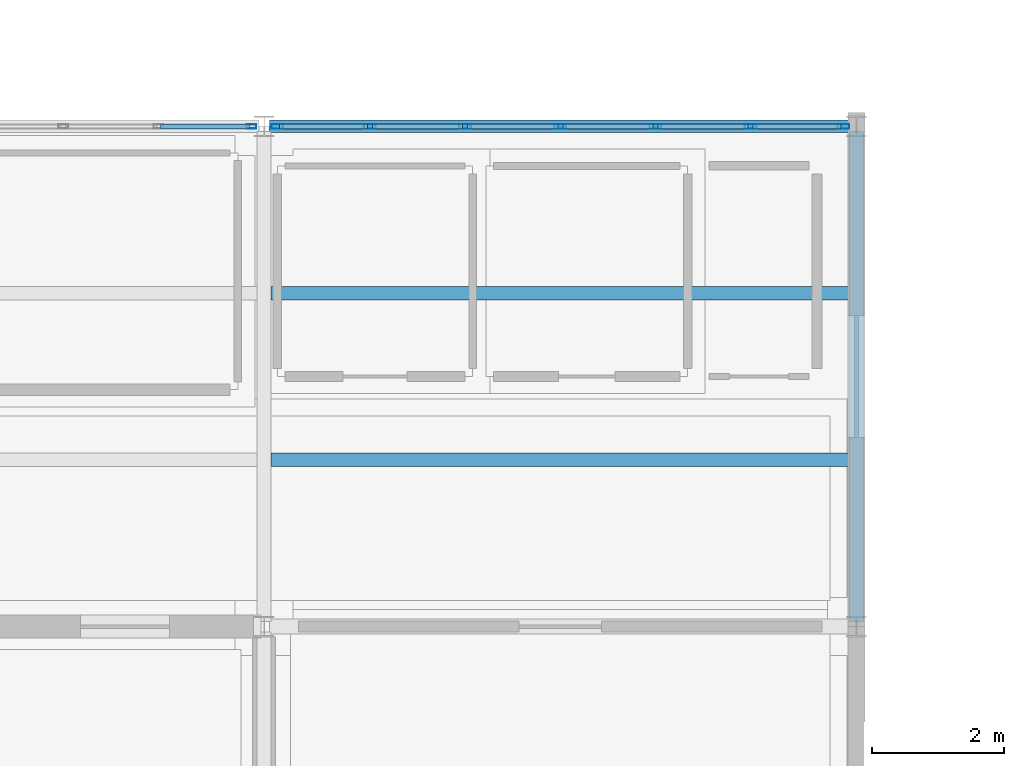
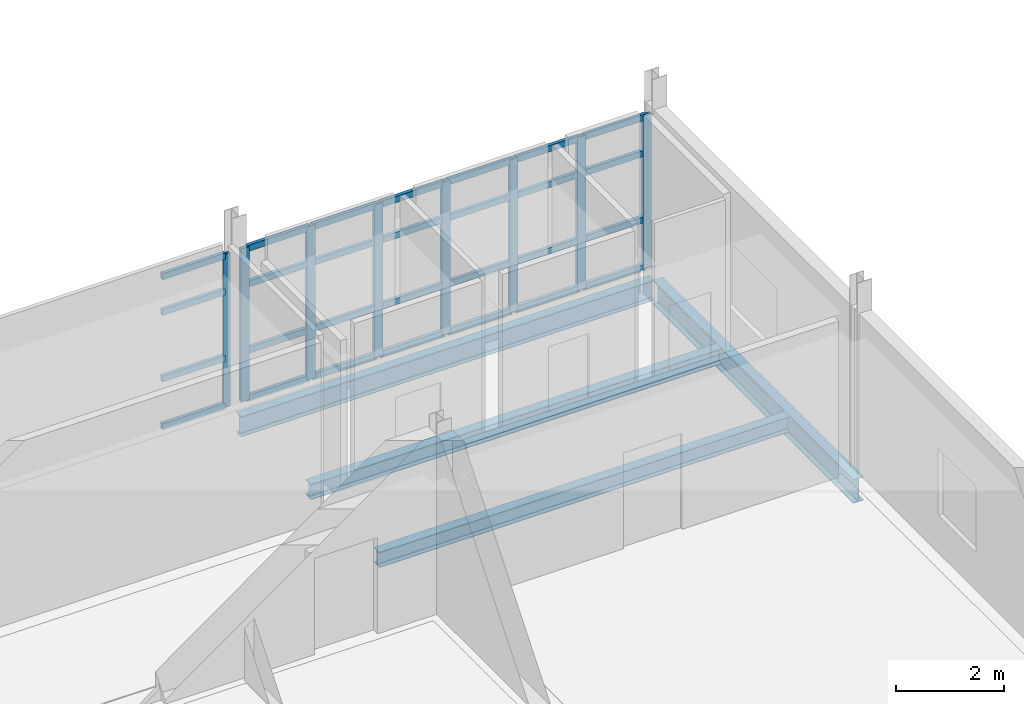
# One storey, part 12 of 48: 36 members, 4 beams, 2 elements without a shape of their own.
"""IFC4 building model written with IfcOpenShell, lengths in metres."""

import ifcopenshell
import ifcopenshell.guid

model = None  # the IFC model being written
_history = None  # IfcOwnerHistory: only IFC2X3 demands one
_inside = {}  # id of a spatial element -> (the spatial element, [elements in it])
_under = {}  # id of a project, library or spatial element -> (it, [spatial elements below it])
_declared = {}  # id of a project -> (the project, [libraries it declares])
_typed = {}  # id of a type object -> (the type object, [elements of that type])
_made_of = {}  # id of a material, layer set ... -> (it, [elements and type objects made of it])


def new_model(schema):
    """Start an empty IFC model of exactly this schema.

    Asked for "IFC4X3", IfcOpenShell would pick the latest addendum, in which some entities
    have other attributes; the version numbers below select the first issue.
    IFC2X3 requires an IfcOwnerHistory on every rooted entity: one is made here for all.
    """
    global model, _history
    if schema == "IFC4X3":
        model = ifcopenshell.file(schema_version=(4, 3, 0, 0))
    else:
        model = ifcopenshell.file(schema=schema)
    _inside.clear()
    _under.clear()
    _declared.clear()
    _typed.clear()
    _made_of.clear()
    _history = None
    if model.schema == "IFC2X3":
        org = make("IfcOrganization", Name="unknown")
        user = make(
            "IfcPersonAndOrganization",
            ThePerson=make("IfcPerson", FamilyName="unknown"),
            TheOrganization=org,
        )
        app = make(
            "IfcApplication",
            ApplicationDeveloper=org,
            Version="unknown",
            ApplicationFullName="unknown",
            ApplicationIdentifier="unknown",
        )
        _history = make(
            "IfcOwnerHistory",
            OwningUser=user,
            OwningApplication=app,
            ChangeAction="ADDED",
            CreationDate=0,
        )
    return model


def make(cls, **values):
    """One entity of the class cls with the attributes given. An attribute that is None is left unset."""
    return model.create_entity(
        cls, **{name: value for name, value in values.items() if value is not None}
    )


def rooted(cls, **values):
    """An entity with a GlobalId (a new one), such as an element, a storey or a relation."""
    return make(cls, GlobalId=ifcopenshell.guid.new(), OwnerHistory=_history, **values)


def si_unit(unit_type, name, prefix=None):
    """IfcSIUnit, for example si_unit("LENGTHUNIT", "METRE", prefix="MILLI")."""
    return make("IfcSIUnit", UnitType=unit_type, Prefix=prefix, Name=name)


def assignment(units):
    """IfcUnitAssignment: the units of a project."""
    return None if units is None else make("IfcUnitAssignment", Units=units)


def point(xyz):
    """IfcCartesianPoint."""
    return None if xyz is None else make("IfcCartesianPoint", Coordinates=xyz)


def direction(xyz):
    """IfcDirection."""
    return None if xyz is None else make("IfcDirection", DirectionRatios=xyz)


def frame(location, z_axis=None, x_axis=None):
    """IfcAxis2Placement3D, a coordinate frame: its origin and axes. An axis left out is left unset."""
    return make(
        "IfcAxis2Placement3D",
        Location=point(location),
        Axis=direction(z_axis),
        RefDirection=direction(x_axis),
    )


def frame_2d(location, x_axis=None):
    """IfcAxis2Placement2D, a coordinate frame in the plane: its origin and x axis."""
    return make(
        "IfcAxis2Placement2D", Location=point(location), RefDirection=direction(x_axis)
    )


def origin():
    """The frame at (0, 0, 0) with its axes left unset."""
    return frame((0.0, 0.0, 0.0))


def origin_2d():
    """The frame at (0, 0) in the plane with its x axis left unset."""
    return frame_2d((0.0, 0.0))


def place(relative_to, where):
    """IfcLocalPlacement: puts the frame where relative to a parent placement (None: the world)."""
    return make(
        "IfcLocalPlacement", PlacementRelTo=relative_to, RelativePlacement=where
    )


def context(
    kind, dimensions, precision=None, world=None, true_north=None, identifier=None
):
    """IfcGeometricRepresentationContext, for example the 3D "Model" context."""
    return make(
        "IfcGeometricRepresentationContext",
        ContextIdentifier=identifier,
        ContextType=kind,
        CoordinateSpaceDimension=dimensions,
        Precision=precision,
        WorldCoordinateSystem=world,
        TrueNorth=true_north,
    )


def subcontext(parent, identifier, kind, view, scale=None):
    """IfcGeometricRepresentationSubContext, for example "Body" below "Model"."""
    return make(
        "IfcGeometricRepresentationSubContext",
        ContextIdentifier=identifier,
        ContextType=kind,
        ParentContext=parent,
        TargetScale=scale,
        TargetView=view,
    )


def project(units=None, contexts=None):
    """IfcProject with its units and contexts."""
    return rooted(
        "IfcProject",
        Name="project",
        RepresentationContexts=contexts,
        UnitsInContext=assignment(units),
    )


def spatial(cls, under=None, at=None, **own):
    """A site, building, storey or space (cls), placed at a placement, below another one or the project."""
    s = rooted(cls, ObjectPlacement=at, **own)
    if under is not None:
        _under.setdefault(under.id(), (under, []))[1].append(s)
    return s


def profile(cls, at=None, kind="AREA", **sizes):
    """A parametric profile (cls). Its sizes go by their IFC names, for example OverallWidth=200.0."""
    return make(cls, ProfileType=kind, Position=at, **sizes)


def hollow_rectangle(**sizes):
    """IfcRectangleHollowProfileDef."""
    return profile("IfcRectangleHollowProfileDef", **sizes)


def i_section(**sizes):
    """IfcIShapeProfileDef."""
    return profile("IfcIShapeProfileDef", **sizes)


def extrude(swept, where, along, depth):
    """IfcExtrudedAreaSolid: the profile swept, set in the frame where, extruded along a direction by depth."""
    return make(
        "IfcExtrudedAreaSolid",
        SweptArea=swept,
        Position=where,
        ExtrudedDirection=direction(along),
        Depth=depth,
    )


def shape(context_of_items, identifier, shape_type, items):
    """IfcShapeRepresentation: the items that make up one representation, for example the "Body"."""
    return make(
        "IfcShapeRepresentation",
        ContextOfItems=context_of_items,
        RepresentationIdentifier=identifier,
        RepresentationType=shape_type,
        Items=items,
    )


def material(Name=None, Category=None):
    """IfcMaterial."""
    return make("IfcMaterial", Name=Name, Category=Category)


def material_profile(
    of_material, cross_section, Name=None, Category=None, Priority=None
):
    """IfcMaterialProfile: a cross section and its material."""
    return make(
        "IfcMaterialProfile",
        Name=Name,
        Material=of_material,
        Profile=cross_section,
        Priority=Priority,
        Category=Category,
    )


def profile_set(profiles, Name=None, composite=None):
    """IfcMaterialProfileSet."""
    return make(
        "IfcMaterialProfileSet",
        Name=Name,
        MaterialProfiles=profiles,
        CompositeProfile=composite,
    )


def made_of(thing, what):
    """Note that an element or type object is made of a material, layer set ...; save() writes the relation."""
    if what is not None:
        _made_of.setdefault(what.id(), (what, []))[1].append(thing)
    return thing


def type_object(cls, material=None, **own):
    """A type object (cls), such as IfcWallType, which elements share."""
    return made_of(rooted(cls, **own), material)


def element(
    cls,
    number,
    at=None,
    inside=None,
    cuts=None,
    type_object=None,
    material=None,
    context=None,
    identifier="Body",
    shape_type=None,
    held_by="IfcProductDefinitionShape",
    body=None,
    shapes=None,
    **own,
):
    """One element of the class cls, such as IfcWall. Its Tag is "e" and its number.

    at: its placement. inside: the storey or other place that contains it. cuts: it is an
    opening in that element (IfcRelVoidsElement). A single representation is given by context,
    identifier, shape_type and body (its items); several are given by shapes. held_by: the class
    of the entity that holds the representations. save() writes the other relations.
    """
    e = rooted(cls, Tag="e%d" % number, ObjectPlacement=at, **own)
    if body is not None:
        shapes = [shape(context, identifier, shape_type, body)]
    if shapes is not None:
        e.Representation = make(held_by, Representations=shapes)
    if inside is not None:
        _inside.setdefault(inside.id(), (inside, []))[1].append(e)
    if cuts is not None:
        rooted(
            "IfcRelVoidsElement", RelatingBuildingElement=cuts, RelatedOpeningElement=e
        )
    if type_object is not None:
        _typed.setdefault(type_object.id(), (type_object, []))[1].append(e)
    return made_of(e, material)


def aggregate(whole, parts):
    """IfcRelAggregates: a whole, such as a stair, and the parts it consists of."""
    return rooted("IfcRelAggregates", RelatingObject=whole, RelatedObjects=parts)


def save(model, path):
    """Write the relations noted so far, then the file.

    IfcRelAggregates (storeys below a building ...), IfcRelContainedInSpatialStructure (elements
    in a storey), IfcRelDefinesByType, IfcRelAssociatesMaterial and IfcRelDeclares: one each for
    every whole, place, type object, material and project.
    """
    for whole, parts in _under.values():
        aggregate(whole, parts)
    for where, things in _inside.values():
        rooted(
            "IfcRelContainedInSpatialStructure",
            RelatedElements=things,
            RelatingStructure=where,
        )
    for kind, things in _typed.values():
        rooted("IfcRelDefinesByType", RelatedObjects=things, RelatingType=kind)
    for what, things in _made_of.values():
        rooted("IfcRelAssociatesMaterial", RelatedObjects=things, RelatingMaterial=what)
    for by, libraries in _declared.values():
        rooted("IfcRelDeclares", RelatingContext=by, RelatedDefinitions=libraries)
    model.write(path)


model = new_model("IFC4")

# Units and contexts
model_context = context("Model", 3, precision=1e-05, world=origin(), true_north=direction((0.0, 1.0)))
body_context = subcontext(model_context, "Body", "Model", "MODEL_VIEW")
ifc_project = project(units=[si_unit("LENGTHUNIT", "METRE"), si_unit("AREAUNIT", "SQUARE_METRE"), si_unit("VOLUMEUNIT", "CUBIC_METRE"), si_unit("PLANEANGLEUNIT", "RADIAN"), si_unit("MASSUNIT", "GRAM", prefix="KILO")], contexts=[model_context])

# Site, building, storey
site_placement = place(None, origin())
site = spatial("IfcSite", under=ifc_project, at=site_placement, CompositionType="ELEMENT")
building_placement = place(site_placement, origin())
building = spatial("IfcBuilding", under=site, at=building_placement, Name="Caisbarro Railhouse Central Library", CompositionType="ELEMENT")
storey_placement = place(building_placement, frame((0.0, 0.0, 18.0)))
storey = spatial("IfcBuildingStorey", under=building, at=storey_placement, Name="L04", CompositionType="ELEMENT", Elevation=18.0)

# Beams
ifc_material_1 = material(Name="Steel ASTM A572 Grade 50", Category="steel")
ifc_material_profile_1 = material_profile(ifc_material_1, i_section(OverallWidth=0.2119140625, OverallDepth=0.5439453125, WebThickness=0.01318359375, FlangeThickness=0.021240234375, FilletRadius=0.02001953125, at=origin_2d()), Name="W530X123.0")
ifc_profile_set_1 = profile_set([ifc_material_profile_1], Name="Steel ASTM A572 Grade 50")
beam_type_1 = type_object("IfcBeamType", Name="BM-G05", PredefinedType="BEAM", material=ifc_profile_set_1)
beam_1_placement = place(storey_placement, frame((108.0, 15.280029296875, -0.552001953125), z_axis=(0.0, 1.0, 0.0), x_axis=(-1.0, 0.0, 0.0)))
element("IfcBeam", 1, at=beam_1_placement, inside=storey, type_object=beam_type_1, Name="G05 beam L04 #2052", PredefinedType="BEAM", context=body_context, shape_type="SweptSolid", body=[
    extrude(i_section(OverallWidth=0.2119140625, OverallDepth=0.5439453125, WebThickness=0.01318359375, FlangeThickness=0.021240234375, FilletRadius=0.02001953125, at=origin_2d()), origin(), (0.0, 0.0, 1.0), 7.43994140625),
])
ifc_material_profile_2 = material_profile(ifc_material_1, i_section(OverallWidth=0.202880859375, OverallDepth=0.346923828125, WebThickness=0.0078125, FlangeThickness=0.013427734375, FilletRadius=0.014892578125, at=origin_2d()), Name="W360X64.0")
ifc_profile_set_2 = profile_set([ifc_material_profile_2], Name="Steel ASTM A572 Grade 50")
beam_type_2 = type_object("IfcBeamType", Name="BM-J01", PredefinedType="JOIST", material=ifc_profile_set_2)
for number, where, z_axis, x_axis, name in (
    (2, (99.10595703125, 17.7333984375, -0.45361328125), (1.0, 0.0, 0.0), (0.0, 1.0, 0.0), "J01 beam L04 #2073"),
    (3, (99.10595703125, 20.2666015625, -0.45361328125), (1.0, 0.0, 0.0), (0.0, 1.0, 0.0), "J01 beam L04 #2074"),
):
    element("IfcBeam", number, at=place(storey_placement, frame(where, z_axis=z_axis, x_axis=x_axis)), inside=storey, type_object=beam_type_2, Name=name, PredefinedType="JOIST", context=body_context, shape_type="SweptSolid", body=[
        extrude(i_section(OverallWidth=0.202880859375, OverallDepth=0.346923828125, WebThickness=0.0078125, FlangeThickness=0.013427734375, FilletRadius=0.014892578125, at=origin_2d()), origin(), (0.0, 0.0, 1.0), 8.7880859375),
    ])
ifc_material_profile_3 = material_profile(ifc_material_1, i_section(OverallWidth=0.18994140625, OverallDepth=0.45703125, WebThickness=0.009033203125, FlangeThickness=0.014404296875, FilletRadius=0.01806640625, at=origin_2d()), Name="W460X74.0")
ifc_profile_set_3 = profile_set([ifc_material_profile_3], Name="Steel ASTM A572 Grade 50")
beam_type_3 = type_object("IfcBeamType", Name="BM-SP01", PredefinedType="SPANDREL", material=ifc_profile_set_3)
beam_2_placement = place(storey_placement, frame((99.080078125, 22.800048828125, -0.508544921875), z_axis=(1.0, 0.0, 0.0), x_axis=(0.0, 1.0, 0.0)))
element("IfcBeam", 4, at=beam_2_placement, inside=storey, type_object=beam_type_3, Name="SP01 beam L04 #2034", PredefinedType="SPANDREL", context=body_context, shape_type="SweptSolid", body=[
    extrude(i_section(OverallWidth=0.18994140625, OverallDepth=0.45703125, WebThickness=0.009033203125, FlangeThickness=0.014404296875, FilletRadius=0.01806640625, at=origin_2d()), origin(), (0.0, 0.0, 1.0), 8.83984375),
])

# Curtain wall, members
ifc_material_2 = material(Name="Anodised architectural aluminium", Category="aluminium")
curtain_wall_type = type_object("IfcCurtainWallType", Name="CW-CW02", PredefinedType="NOTDEFINED", material=ifc_material_2)
curtain_wall_1_placement = place(storey_placement, origin())
curtain_wall_1 = element("IfcCurtainWall", 5, at=curtain_wall_1_placement, inside=storey, type_object=curtain_wall_type, Name="CW02 curtain wall L04 #70", PredefinedType="NOTDEFINED")
ifc_material_profile_4 = material_profile(ifc_material_2, hollow_rectangle(XDim=0.074951171875, YDim=0.179931640625, WallThickness=0.00439453125, at=origin_2d()), Name="ALU-MUL-75X180")
ifc_profile_set_4 = profile_set([ifc_material_profile_4], Name="Anodised architectural aluminium")
member_type_1 = type_object("IfcMemberType", Name="CWM-M01", PredefinedType="MULLION", material=ifc_profile_set_4)
member_1_placement = place(storey_placement, frame((99.197509765625, 22.800048828125, 0.0), z_axis=(0.0, 0.0, 1.0), x_axis=(0.0, 1.0, 0.0)))
member_1 = element("IfcMember", 6, at=member_1_placement, type_object=member_type_1, Name="CW02 mullion 1", PredefinedType="MULLION", context=body_context, shape_type="SweptSolid", body=[
    extrude(hollow_rectangle(XDim=0.074951171875, YDim=0.179931640625, WallThickness=0.00439453125, at=origin_2d()), origin(), (0.0, 0.0, 1.0), 3.469970703125),
])
member_2_placement = place(storey_placement, frame((100.606689453125, 22.800048828125, 0.0), z_axis=(0.0, 0.0, 1.0), x_axis=(0.0, 1.0, 0.0)))
member_2 = element("IfcMember", 7, at=member_2_placement, type_object=member_type_1, Name="CW02 mullion 2", PredefinedType="MULLION", context=body_context, shape_type="SweptSolid", body=[
    extrude(hollow_rectangle(XDim=0.074951171875, YDim=0.179931640625, WallThickness=0.00439453125, at=origin_2d()), origin(), (0.0, 0.0, 1.0), 3.469970703125),
])
member_3_placement = place(storey_placement, frame((102.05322265625, 22.800048828125, 0.0), z_axis=(0.0, 0.0, 1.0), x_axis=(0.0, 1.0, 0.0)))
member_3 = element("IfcMember", 8, at=member_3_placement, type_object=member_type_1, Name="CW02 mullion 3", PredefinedType="MULLION", context=body_context, shape_type="SweptSolid", body=[
    extrude(hollow_rectangle(XDim=0.074951171875, YDim=0.179931640625, WallThickness=0.00439453125, at=origin_2d()), origin(), (0.0, 0.0, 1.0), 3.469970703125),
])
member_4_placement = place(storey_placement, frame((103.5, 22.800048828125, 0.0), z_axis=(0.0, 0.0, 1.0), x_axis=(0.0, 1.0, 0.0)))
member_4 = element("IfcMember", 9, at=member_4_placement, type_object=member_type_1, Name="CW02 mullion 4", PredefinedType="MULLION", context=body_context, shape_type="SweptSolid", body=[
    extrude(hollow_rectangle(XDim=0.074951171875, YDim=0.179931640625, WallThickness=0.00439453125, at=origin_2d()), origin(), (0.0, 0.0, 1.0), 3.469970703125),
])
member_5_placement = place(storey_placement, frame((104.94677734375, 22.800048828125, 0.0), z_axis=(0.0, 0.0, 1.0), x_axis=(0.0, 1.0, 0.0)))
member_5 = element("IfcMember", 10, at=member_5_placement, type_object=member_type_1, Name="CW02 mullion 5", PredefinedType="MULLION", context=body_context, shape_type="SweptSolid", body=[
    extrude(hollow_rectangle(XDim=0.074951171875, YDim=0.179931640625, WallThickness=0.00439453125, at=origin_2d()), origin(), (0.0, 0.0, 1.0), 3.469970703125),
])
member_6_placement = place(storey_placement, frame((106.393310546875, 22.800048828125, 0.0), z_axis=(0.0, 0.0, 1.0), x_axis=(0.0, 1.0, 0.0)))
member_6 = element("IfcMember", 11, at=member_6_placement, type_object=member_type_1, Name="CW02 mullion 6", PredefinedType="MULLION", context=body_context, shape_type="SweptSolid", body=[
    extrude(hollow_rectangle(XDim=0.074951171875, YDim=0.179931640625, WallThickness=0.00439453125, at=origin_2d()), origin(), (0.0, 0.0, 1.0), 3.469970703125),
])
member_7_placement = place(storey_placement, frame((107.802490234375, 22.800048828125, 0.0), z_axis=(0.0, 0.0, 1.0), x_axis=(0.0, 1.0, 0.0)))
member_7 = element("IfcMember", 12, at=member_7_placement, type_object=member_type_1, Name="CW02 mullion 7", PredefinedType="MULLION", context=body_context, shape_type="SweptSolid", body=[
    extrude(hollow_rectangle(XDim=0.074951171875, YDim=0.179931640625, WallThickness=0.00439453125, at=origin_2d()), origin(), (0.0, 0.0, 1.0), 3.469970703125),
])

curtain_wall_2_placement = place(storey_placement, origin())
curtain_wall_2 = element("IfcCurtainWall", 13, at=curtain_wall_2_placement, inside=storey, type_object=curtain_wall_type, Name="CW02 curtain wall L04 #69", PredefinedType="NOTDEFINED")
ifc_material_profile_5 = material_profile(ifc_material_2, hollow_rectangle(XDim=0.06494140625, YDim=0.14990234375, WallThickness=0.00390625, at=origin_2d()), Name="ALU-MUL-65X150")
ifc_profile_set_5 = profile_set([ifc_material_profile_5], Name="Anodised architectural aluminium")
member_type_2 = type_object("IfcMemberType", Name="CWM-M02", PredefinedType="MULLION", material=ifc_profile_set_5)
member_8_placement = place(storey_placement, frame((98.8076171875, 22.800048828125, 0.0), z_axis=(0.0, 0.0, 1.0), x_axis=(0.0, 1.0, 0.0)))
member_8 = element("IfcMember", 14, at=member_8_placement, type_object=member_type_2, Name="CW02 mullion 7", PredefinedType="MULLION", context=body_context, shape_type="SweptSolid", body=[
    extrude(hollow_rectangle(XDim=0.06494140625, YDim=0.14990234375, WallThickness=0.00390625, at=origin_2d()), origin(), (0.0, 0.0, 1.0), 3.469970703125),
])
ifc_material_profile_6 = material_profile(ifc_material_2, hollow_rectangle(XDim=0.074951171875, YDim=0.139892578125, WallThickness=0.00390625, at=origin_2d()), Name="ALU-TRN-75X140")
ifc_profile_set_6 = profile_set([ifc_material_profile_6], Name="Anodised architectural aluminium")
member_type_3 = type_object("IfcMemberType", Name="CWT-T01", PredefinedType="USERDEFINED", material=ifc_profile_set_6)
member_9_placement = place(storey_placement, frame((97.42578125, 22.800048828125, 0.03759765625), z_axis=(1.0, 0.0, 0.0), x_axis=(0.0, 1.0, 0.0)))
member_9 = element("IfcMember", 15, at=member_9_placement, type_object=member_type_3, Name="CW02 transom 6.1", ObjectType="TRANSOM", PredefinedType="USERDEFINED", context=body_context, shape_type="SweptSolid", body=[
    extrude(hollow_rectangle(XDim=0.074951171875, YDim=0.139892578125, WallThickness=0.00390625, at=origin_2d()), origin(), (0.0, 0.0, 1.0), 1.34912109375),
])
member_10_placement = place(storey_placement, frame((97.42578125, 22.800048828125, 1.1201171875), z_axis=(1.0, 0.0, 0.0), x_axis=(0.0, 1.0, 0.0)))
member_10 = element("IfcMember", 16, at=member_10_placement, type_object=member_type_3, Name="CW02 transom 6.2", ObjectType="TRANSOM", PredefinedType="USERDEFINED", context=body_context, shape_type="SweptSolid", body=[
    extrude(hollow_rectangle(XDim=0.074951171875, YDim=0.139892578125, WallThickness=0.00390625, at=origin_2d()), origin(), (0.0, 0.0, 1.0), 1.34912109375),
])
member_11_placement = place(storey_placement, frame((97.42578125, 22.800048828125, 2.6201171875), z_axis=(1.0, 0.0, 0.0), x_axis=(0.0, 1.0, 0.0)))
member_11 = element("IfcMember", 17, at=member_11_placement, type_object=member_type_3, Name="CW02 transom 6.3", ObjectType="TRANSOM", PredefinedType="USERDEFINED", context=body_context, shape_type="SweptSolid", body=[
    extrude(hollow_rectangle(XDim=0.074951171875, YDim=0.139892578125, WallThickness=0.00390625, at=origin_2d()), origin(), (0.0, 0.0, 1.0), 1.34912109375),
])
member_12_placement = place(storey_placement, frame((97.42578125, 22.800048828125, 3.4326171875), z_axis=(1.0, 0.0, 0.0), x_axis=(0.0, 1.0, 0.0)))
member_12 = element("IfcMember", 18, at=member_12_placement, type_object=member_type_3, Name="CW02 transom 6.4", ObjectType="TRANSOM", PredefinedType="USERDEFINED", context=body_context, shape_type="SweptSolid", body=[
    extrude(hollow_rectangle(XDim=0.074951171875, YDim=0.139892578125, WallThickness=0.00390625, at=origin_2d()), origin(), (0.0, 0.0, 1.0), 1.34912109375),
])
aggregate(curtain_wall_2, [member_8, member_9, member_10, member_11, member_12])

# Member
member_13_placement = place(storey_placement, frame((99.235107421875, 22.800048828125, 0.03759765625), z_axis=(1.0, 0.0, 0.0), x_axis=(0.0, 1.0, 0.0)))
member_13 = element("IfcMember", 19, at=member_13_placement, type_object=member_type_3, Name="CW02 transom 1.1", ObjectType="TRANSOM", PredefinedType="USERDEFINED", context=body_context, shape_type="SweptSolid", body=[
    extrude(hollow_rectangle(XDim=0.074951171875, YDim=0.139892578125, WallThickness=0.00390625, at=origin_2d()), origin(), (0.0, 0.0, 1.0), 1.333984375),
])

member_14_placement = place(storey_placement, frame((99.235107421875, 22.800048828125, 1.1201171875), z_axis=(1.0, 0.0, 0.0), x_axis=(0.0, 1.0, 0.0)))
member_14 = element("IfcMember", 20, at=member_14_placement, type_object=member_type_3, Name="CW02 transom 1.2", ObjectType="TRANSOM", PredefinedType="USERDEFINED", context=body_context, shape_type="SweptSolid", body=[
    extrude(hollow_rectangle(XDim=0.074951171875, YDim=0.139892578125, WallThickness=0.00390625, at=origin_2d()), origin(), (0.0, 0.0, 1.0), 1.333984375),
])

member_15_placement = place(storey_placement, frame((99.235107421875, 22.800048828125, 2.6201171875), z_axis=(1.0, 0.0, 0.0), x_axis=(0.0, 1.0, 0.0)))
member_15 = element("IfcMember", 21, at=member_15_placement, type_object=member_type_3, Name="CW02 transom 1.3", ObjectType="TRANSOM", PredefinedType="USERDEFINED", context=body_context, shape_type="SweptSolid", body=[
    extrude(hollow_rectangle(XDim=0.074951171875, YDim=0.139892578125, WallThickness=0.00390625, at=origin_2d()), origin(), (0.0, 0.0, 1.0), 1.333984375),
])

member_16_placement = place(storey_placement, frame((99.235107421875, 22.800048828125, 3.4326171875), z_axis=(1.0, 0.0, 0.0), x_axis=(0.0, 1.0, 0.0)))
member_16 = element("IfcMember", 22, at=member_16_placement, type_object=member_type_3, Name="CW02 transom 1.4", ObjectType="TRANSOM", PredefinedType="USERDEFINED", context=body_context, shape_type="SweptSolid", body=[
    extrude(hollow_rectangle(XDim=0.074951171875, YDim=0.139892578125, WallThickness=0.00390625, at=origin_2d()), origin(), (0.0, 0.0, 1.0), 1.333984375),
])

member_17_placement = place(storey_placement, frame((100.644287109375, 22.800048828125, 0.03759765625), z_axis=(1.0, 0.0, 0.0), x_axis=(0.0, 1.0, 0.0)))
member_17 = element("IfcMember", 23, at=member_17_placement, type_object=member_type_3, Name="CW02 transom 2.1", ObjectType="TRANSOM", PredefinedType="USERDEFINED", context=body_context, shape_type="SweptSolid", body=[
    extrude(hollow_rectangle(XDim=0.074951171875, YDim=0.139892578125, WallThickness=0.00390625, at=origin_2d()), origin(), (0.0, 0.0, 1.0), 1.37158203125),
])

member_18_placement = place(storey_placement, frame((100.644287109375, 22.800048828125, 1.1201171875), z_axis=(1.0, 0.0, 0.0), x_axis=(0.0, 1.0, 0.0)))
member_18 = element("IfcMember", 24, at=member_18_placement, type_object=member_type_3, Name="CW02 transom 2.2", ObjectType="TRANSOM", PredefinedType="USERDEFINED", context=body_context, shape_type="SweptSolid", body=[
    extrude(hollow_rectangle(XDim=0.074951171875, YDim=0.139892578125, WallThickness=0.00390625, at=origin_2d()), origin(), (0.0, 0.0, 1.0), 1.37158203125),
])

member_19_placement = place(storey_placement, frame((100.644287109375, 22.800048828125, 2.6201171875), z_axis=(1.0, 0.0, 0.0), x_axis=(0.0, 1.0, 0.0)))
member_19 = element("IfcMember", 25, at=member_19_placement, type_object=member_type_3, Name="CW02 transom 2.3", ObjectType="TRANSOM", PredefinedType="USERDEFINED", context=body_context, shape_type="SweptSolid", body=[
    extrude(hollow_rectangle(XDim=0.074951171875, YDim=0.139892578125, WallThickness=0.00390625, at=origin_2d()), origin(), (0.0, 0.0, 1.0), 1.37158203125),
])

member_20_placement = place(storey_placement, frame((100.644287109375, 22.800048828125, 3.4326171875), z_axis=(1.0, 0.0, 0.0), x_axis=(0.0, 1.0, 0.0)))
member_20 = element("IfcMember", 26, at=member_20_placement, type_object=member_type_3, Name="CW02 transom 2.4", ObjectType="TRANSOM", PredefinedType="USERDEFINED", context=body_context, shape_type="SweptSolid", body=[
    extrude(hollow_rectangle(XDim=0.074951171875, YDim=0.139892578125, WallThickness=0.00390625, at=origin_2d()), origin(), (0.0, 0.0, 1.0), 1.37158203125),
])

member_21_placement = place(storey_placement, frame((102.0908203125, 22.800048828125, 0.03759765625), z_axis=(1.0, 0.0, 0.0), x_axis=(0.0, 1.0, 0.0)))
member_21 = element("IfcMember", 27, at=member_21_placement, type_object=member_type_3, Name="CW02 transom 3.1", ObjectType="TRANSOM", PredefinedType="USERDEFINED", context=body_context, shape_type="SweptSolid", body=[
    extrude(hollow_rectangle(XDim=0.074951171875, YDim=0.139892578125, WallThickness=0.00390625, at=origin_2d()), origin(), (0.0, 0.0, 1.0), 1.37158203125),
])

member_22_placement = place(storey_placement, frame((102.0908203125, 22.800048828125, 1.1201171875), z_axis=(1.0, 0.0, 0.0), x_axis=(0.0, 1.0, 0.0)))
member_22 = element("IfcMember", 28, at=member_22_placement, type_object=member_type_3, Name="CW02 transom 3.2", ObjectType="TRANSOM", PredefinedType="USERDEFINED", context=body_context, shape_type="SweptSolid", body=[
    extrude(hollow_rectangle(XDim=0.074951171875, YDim=0.139892578125, WallThickness=0.00390625, at=origin_2d()), origin(), (0.0, 0.0, 1.0), 1.37158203125),
])

member_23_placement = place(storey_placement, frame((102.0908203125, 22.800048828125, 2.6201171875), z_axis=(1.0, 0.0, 0.0), x_axis=(0.0, 1.0, 0.0)))
member_23 = element("IfcMember", 29, at=member_23_placement, type_object=member_type_3, Name="CW02 transom 3.3", ObjectType="TRANSOM", PredefinedType="USERDEFINED", context=body_context, shape_type="SweptSolid", body=[
    extrude(hollow_rectangle(XDim=0.074951171875, YDim=0.139892578125, WallThickness=0.00390625, at=origin_2d()), origin(), (0.0, 0.0, 1.0), 1.37158203125),
])

member_24_placement = place(storey_placement, frame((102.0908203125, 22.800048828125, 3.4326171875), z_axis=(1.0, 0.0, 0.0), x_axis=(0.0, 1.0, 0.0)))
member_24 = element("IfcMember", 30, at=member_24_placement, type_object=member_type_3, Name="CW02 transom 3.4", ObjectType="TRANSOM", PredefinedType="USERDEFINED", context=body_context, shape_type="SweptSolid", body=[
    extrude(hollow_rectangle(XDim=0.074951171875, YDim=0.139892578125, WallThickness=0.00390625, at=origin_2d()), origin(), (0.0, 0.0, 1.0), 1.37158203125),
])

member_25_placement = place(storey_placement, frame((103.53759765625, 22.800048828125, 0.03759765625), z_axis=(1.0, 0.0, 0.0), x_axis=(0.0, 1.0, 0.0)))
member_25 = element("IfcMember", 31, at=member_25_placement, type_object=member_type_3, Name="CW02 transom 4.1", ObjectType="TRANSOM", PredefinedType="USERDEFINED", context=body_context, shape_type="SweptSolid", body=[
    extrude(hollow_rectangle(XDim=0.074951171875, YDim=0.139892578125, WallThickness=0.00390625, at=origin_2d()), origin(), (0.0, 0.0, 1.0), 1.37158203125),
])

member_26_placement = place(storey_placement, frame((103.53759765625, 22.800048828125, 1.1201171875), z_axis=(1.0, 0.0, 0.0), x_axis=(0.0, 1.0, 0.0)))
member_26 = element("IfcMember", 32, at=member_26_placement, type_object=member_type_3, Name="CW02 transom 4.2", ObjectType="TRANSOM", PredefinedType="USERDEFINED", context=body_context, shape_type="SweptSolid", body=[
    extrude(hollow_rectangle(XDim=0.074951171875, YDim=0.139892578125, WallThickness=0.00390625, at=origin_2d()), origin(), (0.0, 0.0, 1.0), 1.37158203125),
])

member_27_placement = place(storey_placement, frame((103.53759765625, 22.800048828125, 2.6201171875), z_axis=(1.0, 0.0, 0.0), x_axis=(0.0, 1.0, 0.0)))
member_27 = element("IfcMember", 33, at=member_27_placement, type_object=member_type_3, Name="CW02 transom 4.3", ObjectType="TRANSOM", PredefinedType="USERDEFINED", context=body_context, shape_type="SweptSolid", body=[
    extrude(hollow_rectangle(XDim=0.074951171875, YDim=0.139892578125, WallThickness=0.00390625, at=origin_2d()), origin(), (0.0, 0.0, 1.0), 1.37158203125),
])

member_28_placement = place(storey_placement, frame((103.53759765625, 22.800048828125, 3.4326171875), z_axis=(1.0, 0.0, 0.0), x_axis=(0.0, 1.0, 0.0)))
member_28 = element("IfcMember", 34, at=member_28_placement, type_object=member_type_3, Name="CW02 transom 4.4", ObjectType="TRANSOM", PredefinedType="USERDEFINED", context=body_context, shape_type="SweptSolid", body=[
    extrude(hollow_rectangle(XDim=0.074951171875, YDim=0.139892578125, WallThickness=0.00390625, at=origin_2d()), origin(), (0.0, 0.0, 1.0), 1.37158203125),
])

member_29_placement = place(storey_placement, frame((104.984130859375, 22.800048828125, 0.03759765625), z_axis=(1.0, 0.0, 0.0), x_axis=(0.0, 1.0, 0.0)))
member_29 = element("IfcMember", 35, at=member_29_placement, type_object=member_type_3, Name="CW02 transom 5.1", ObjectType="TRANSOM", PredefinedType="USERDEFINED", context=body_context, shape_type="SweptSolid", body=[
    extrude(hollow_rectangle(XDim=0.074951171875, YDim=0.139892578125, WallThickness=0.00390625, at=origin_2d()), origin(), (0.0, 0.0, 1.0), 1.37158203125),
])

member_30_placement = place(storey_placement, frame((104.984130859375, 22.800048828125, 1.1201171875), z_axis=(1.0, 0.0, 0.0), x_axis=(0.0, 1.0, 0.0)))
member_30 = element("IfcMember", 36, at=member_30_placement, type_object=member_type_3, Name="CW02 transom 5.2", ObjectType="TRANSOM", PredefinedType="USERDEFINED", context=body_context, shape_type="SweptSolid", body=[
    extrude(hollow_rectangle(XDim=0.074951171875, YDim=0.139892578125, WallThickness=0.00390625, at=origin_2d()), origin(), (0.0, 0.0, 1.0), 1.37158203125),
])

member_31_placement = place(storey_placement, frame((104.984130859375, 22.800048828125, 2.6201171875), z_axis=(1.0, 0.0, 0.0), x_axis=(0.0, 1.0, 0.0)))
member_31 = element("IfcMember", 37, at=member_31_placement, type_object=member_type_3, Name="CW02 transom 5.3", ObjectType="TRANSOM", PredefinedType="USERDEFINED", context=body_context, shape_type="SweptSolid", body=[
    extrude(hollow_rectangle(XDim=0.074951171875, YDim=0.139892578125, WallThickness=0.00390625, at=origin_2d()), origin(), (0.0, 0.0, 1.0), 1.37158203125),
])

member_32_placement = place(storey_placement, frame((104.984130859375, 22.800048828125, 3.4326171875), z_axis=(1.0, 0.0, 0.0), x_axis=(0.0, 1.0, 0.0)))
member_32 = element("IfcMember", 38, at=member_32_placement, type_object=member_type_3, Name="CW02 transom 5.4", ObjectType="TRANSOM", PredefinedType="USERDEFINED", context=body_context, shape_type="SweptSolid", body=[
    extrude(hollow_rectangle(XDim=0.074951171875, YDim=0.139892578125, WallThickness=0.00390625, at=origin_2d()), origin(), (0.0, 0.0, 1.0), 1.37158203125),
])

member_33_placement = place(storey_placement, frame((106.430908203125, 22.800048828125, 0.03759765625), z_axis=(1.0, 0.0, 0.0), x_axis=(0.0, 1.0, 0.0)))
member_33 = element("IfcMember", 39, at=member_33_placement, type_object=member_type_3, Name="CW02 transom 6.1", ObjectType="TRANSOM", PredefinedType="USERDEFINED", context=body_context, shape_type="SweptSolid", body=[
    extrude(hollow_rectangle(XDim=0.074951171875, YDim=0.139892578125, WallThickness=0.00390625, at=origin_2d()), origin(), (0.0, 0.0, 1.0), 1.333984375),
])

member_34_placement = place(storey_placement, frame((106.430908203125, 22.800048828125, 1.1201171875), z_axis=(1.0, 0.0, 0.0), x_axis=(0.0, 1.0, 0.0)))
member_34 = element("IfcMember", 40, at=member_34_placement, type_object=member_type_3, Name="CW02 transom 6.2", ObjectType="TRANSOM", PredefinedType="USERDEFINED", context=body_context, shape_type="SweptSolid", body=[
    extrude(hollow_rectangle(XDim=0.074951171875, YDim=0.139892578125, WallThickness=0.00390625, at=origin_2d()), origin(), (0.0, 0.0, 1.0), 1.333984375),
])

member_35_placement = place(storey_placement, frame((106.430908203125, 22.800048828125, 2.6201171875), z_axis=(1.0, 0.0, 0.0), x_axis=(0.0, 1.0, 0.0)))
member_35 = element("IfcMember", 41, at=member_35_placement, type_object=member_type_3, Name="CW02 transom 6.3", ObjectType="TRANSOM", PredefinedType="USERDEFINED", context=body_context, shape_type="SweptSolid", body=[
    extrude(hollow_rectangle(XDim=0.074951171875, YDim=0.139892578125, WallThickness=0.00390625, at=origin_2d()), origin(), (0.0, 0.0, 1.0), 1.333984375),
])

member_36_placement = place(storey_placement, frame((106.430908203125, 22.800048828125, 3.4326171875), z_axis=(1.0, 0.0, 0.0), x_axis=(0.0, 1.0, 0.0)))
member_36 = element("IfcMember", 42, at=member_36_placement, type_object=member_type_3, Name="CW02 transom 6.4", ObjectType="TRANSOM", PredefinedType="USERDEFINED", context=body_context, shape_type="SweptSolid", body=[
    extrude(hollow_rectangle(XDim=0.074951171875, YDim=0.139892578125, WallThickness=0.00390625, at=origin_2d()), origin(), (0.0, 0.0, 1.0), 1.333984375),
])

aggregate(curtain_wall_1, [member_1, member_2, member_3, member_4, member_5, member_6, member_7, member_13, member_14, member_15, member_16, member_17, member_18, member_19, member_20, member_21, member_22, member_23, member_24, member_25, member_26, member_27, member_28, member_29, member_30, member_31, member_32, member_33, member_34, member_35, member_36])

save(model, "model.ifc")
